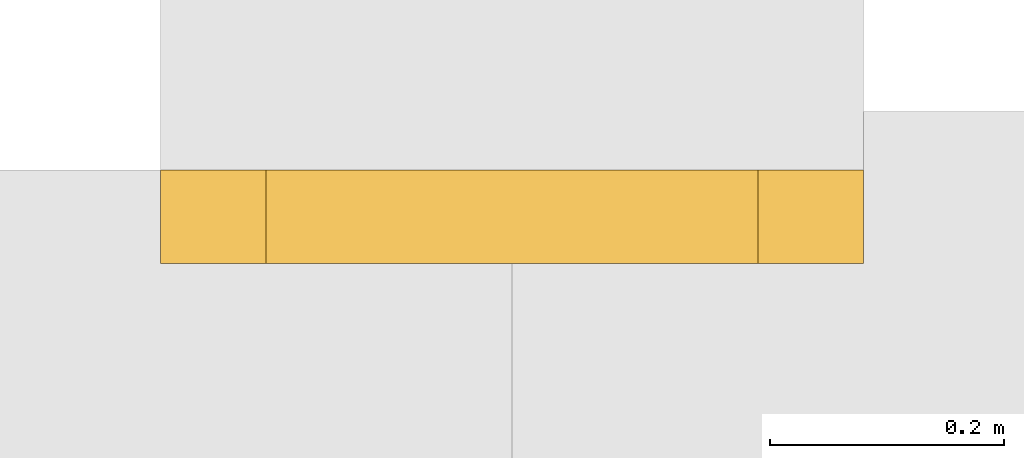
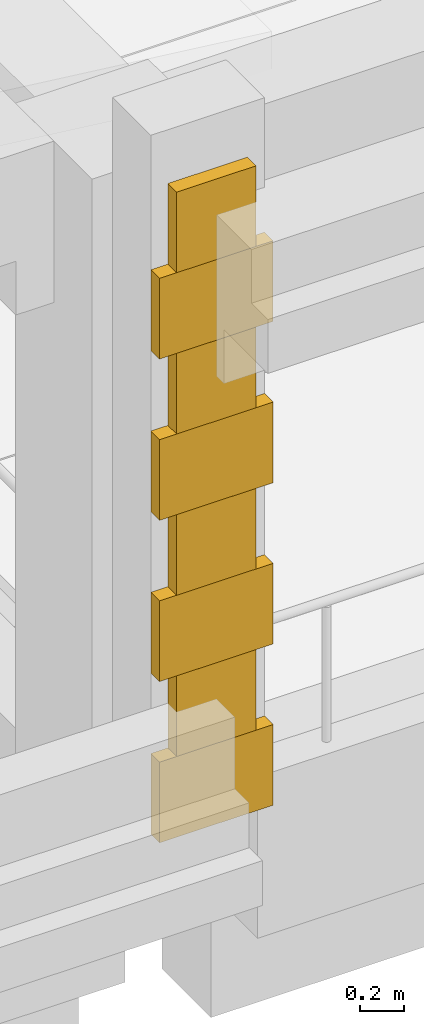
# One storey, part 16 of 17: 8 coverings.
"""IFC4 building model written with IfcOpenShell, lengths in metres."""

import ifcopenshell
import ifcopenshell.guid

model = None  # the IFC model being written
_history = None  # IfcOwnerHistory: only IFC2X3 demands one
_inside = {}  # id of a spatial element -> (the spatial element, [elements in it])
_under = {}  # id of a project, library or spatial element -> (it, [spatial elements below it])
_declared = {}  # id of a project -> (the project, [libraries it declares])
_typed = {}  # id of a type object -> (the type object, [elements of that type])
_made_of = {}  # id of a material, layer set ... -> (it, [elements and type objects made of it])


def new_model(schema):
    """Start an empty IFC model of exactly this schema.

    Asked for "IFC4X3", IfcOpenShell would pick the latest addendum, in which some entities
    have other attributes; the version numbers below select the first issue.
    IFC2X3 requires an IfcOwnerHistory on every rooted entity: one is made here for all.
    """
    global model, _history
    if schema == "IFC4X3":
        model = ifcopenshell.file(schema_version=(4, 3, 0, 0))
    else:
        model = ifcopenshell.file(schema=schema)
    _inside.clear()
    _under.clear()
    _declared.clear()
    _typed.clear()
    _made_of.clear()
    _history = None
    if model.schema == "IFC2X3":
        org = make("IfcOrganization", Name="unknown")
        user = make(
            "IfcPersonAndOrganization",
            ThePerson=make("IfcPerson", FamilyName="unknown"),
            TheOrganization=org,
        )
        app = make(
            "IfcApplication",
            ApplicationDeveloper=org,
            Version="unknown",
            ApplicationFullName="unknown",
            ApplicationIdentifier="unknown",
        )
        _history = make(
            "IfcOwnerHistory",
            OwningUser=user,
            OwningApplication=app,
            ChangeAction="ADDED",
            CreationDate=0,
        )
    return model


def make(cls, **values):
    """One entity of the class cls with the attributes given. An attribute that is None is left unset."""
    return model.create_entity(
        cls, **{name: value for name, value in values.items() if value is not None}
    )


def rooted(cls, **values):
    """An entity with a GlobalId (a new one), such as an element, a storey or a relation."""
    return make(cls, GlobalId=ifcopenshell.guid.new(), OwnerHistory=_history, **values)


def si_unit(unit_type, name, prefix=None):
    """IfcSIUnit, for example si_unit("LENGTHUNIT", "METRE", prefix="MILLI")."""
    return make("IfcSIUnit", UnitType=unit_type, Prefix=prefix, Name=name)


def assignment(units):
    """IfcUnitAssignment: the units of a project."""
    return None if units is None else make("IfcUnitAssignment", Units=units)


def point(xyz):
    """IfcCartesianPoint."""
    return None if xyz is None else make("IfcCartesianPoint", Coordinates=xyz)


def direction(xyz):
    """IfcDirection."""
    return None if xyz is None else make("IfcDirection", DirectionRatios=xyz)


def frame(location, z_axis=None, x_axis=None):
    """IfcAxis2Placement3D, a coordinate frame: its origin and axes. An axis left out is left unset."""
    return make(
        "IfcAxis2Placement3D",
        Location=point(location),
        Axis=direction(z_axis),
        RefDirection=direction(x_axis),
    )


def origin():
    """The frame at (0, 0, 0) with its axes left unset."""
    return frame((0.0, 0.0, 0.0))


def place(relative_to, where):
    """IfcLocalPlacement: puts the frame where relative to a parent placement (None: the world)."""
    return make(
        "IfcLocalPlacement", PlacementRelTo=relative_to, RelativePlacement=where
    )


def context(
    kind, dimensions, precision=None, world=None, true_north=None, identifier=None
):
    """IfcGeometricRepresentationContext, for example the 3D "Model" context."""
    return make(
        "IfcGeometricRepresentationContext",
        ContextIdentifier=identifier,
        ContextType=kind,
        CoordinateSpaceDimension=dimensions,
        Precision=precision,
        WorldCoordinateSystem=world,
        TrueNorth=true_north,
    )


def subcontext(parent, identifier, kind, view, scale=None):
    """IfcGeometricRepresentationSubContext, for example "Body" below "Model"."""
    return make(
        "IfcGeometricRepresentationSubContext",
        ContextIdentifier=identifier,
        ContextType=kind,
        ParentContext=parent,
        TargetScale=scale,
        TargetView=view,
    )


def project(units=None, contexts=None):
    """IfcProject with its units and contexts."""
    return rooted(
        "IfcProject",
        Name="project",
        RepresentationContexts=contexts,
        UnitsInContext=assignment(units),
    )


def spatial(cls, under=None, at=None, **own):
    """A site, building, storey or space (cls), placed at a placement, below another one or the project."""
    s = rooted(cls, ObjectPlacement=at, **own)
    if under is not None:
        _under.setdefault(under.id(), (under, []))[1].append(s)
    return s


def polyline(points):
    """IfcPolyline through the points."""
    return make("IfcPolyline", Points=[point(p) for p in points])


def outline(outer, holes=None, kind="AREA"):
    """IfcArbitraryClosedProfileDef: a profile drawn as a closed curve; with holes, ...WithVoids."""
    if holes is None:
        return make("IfcArbitraryClosedProfileDef", ProfileType=kind, OuterCurve=outer)
    return make(
        "IfcArbitraryProfileDefWithVoids",
        ProfileType=kind,
        OuterCurve=outer,
        InnerCurves=holes,
    )


def extrude(swept, where, along, depth):
    """IfcExtrudedAreaSolid: the profile swept, set in the frame where, extruded along a direction by depth."""
    return make(
        "IfcExtrudedAreaSolid",
        SweptArea=swept,
        Position=where,
        ExtrudedDirection=direction(along),
        Depth=depth,
    )


def shape(context_of_items, identifier, shape_type, items):
    """IfcShapeRepresentation: the items that make up one representation, for example the "Body"."""
    return make(
        "IfcShapeRepresentation",
        ContextOfItems=context_of_items,
        RepresentationIdentifier=identifier,
        RepresentationType=shape_type,
        Items=items,
    )


def material(Name=None, Category=None):
    """IfcMaterial."""
    return make("IfcMaterial", Name=Name, Category=Category)


def layer(
    of_material, thickness, ventilated=None, Name=None, Category=None, Priority=None
):
    """IfcMaterialLayer: one layer of a wall or slab, of a material (None: an air gap)."""
    return make(
        "IfcMaterialLayer",
        Material=of_material,
        LayerThickness=thickness,
        IsVentilated=ventilated,
        Name=Name,
        Category=Category,
        Priority=Priority,
    )


def layer_set(layers, Name=None):
    """IfcMaterialLayerSet."""
    return make("IfcMaterialLayerSet", MaterialLayers=layers, LayerSetName=Name)


def made_of(thing, what):
    """Note that an element or type object is made of a material, layer set ...; save() writes the relation."""
    if what is not None:
        _made_of.setdefault(what.id(), (what, []))[1].append(thing)
    return thing


def type_object(cls, material=None, **own):
    """A type object (cls), such as IfcWallType, which elements share."""
    return made_of(rooted(cls, **own), material)


def element(
    cls,
    number,
    at=None,
    inside=None,
    cuts=None,
    type_object=None,
    material=None,
    context=None,
    identifier="Body",
    shape_type=None,
    held_by="IfcProductDefinitionShape",
    body=None,
    shapes=None,
    **own,
):
    """One element of the class cls, such as IfcWall. Its Tag is "e" and its number.

    at: its placement. inside: the storey or other place that contains it. cuts: it is an
    opening in that element (IfcRelVoidsElement). A single representation is given by context,
    identifier, shape_type and body (its items); several are given by shapes. held_by: the class
    of the entity that holds the representations. save() writes the other relations.
    """
    e = rooted(cls, Tag="e%d" % number, ObjectPlacement=at, **own)
    if body is not None:
        shapes = [shape(context, identifier, shape_type, body)]
    if shapes is not None:
        e.Representation = make(held_by, Representations=shapes)
    if inside is not None:
        _inside.setdefault(inside.id(), (inside, []))[1].append(e)
    if cuts is not None:
        rooted(
            "IfcRelVoidsElement", RelatingBuildingElement=cuts, RelatedOpeningElement=e
        )
    if type_object is not None:
        _typed.setdefault(type_object.id(), (type_object, []))[1].append(e)
    return made_of(e, material)


def aggregate(whole, parts):
    """IfcRelAggregates: a whole, such as a stair, and the parts it consists of."""
    return rooted("IfcRelAggregates", RelatingObject=whole, RelatedObjects=parts)


def save(model, path):
    """Write the relations noted so far, then the file.

    IfcRelAggregates (storeys below a building ...), IfcRelContainedInSpatialStructure (elements
    in a storey), IfcRelDefinesByType, IfcRelAssociatesMaterial and IfcRelDeclares: one each for
    every whole, place, type object, material and project.
    """
    for whole, parts in _under.values():
        aggregate(whole, parts)
    for where, things in _inside.values():
        rooted(
            "IfcRelContainedInSpatialStructure",
            RelatedElements=things,
            RelatingStructure=where,
        )
    for kind, things in _typed.values():
        rooted("IfcRelDefinesByType", RelatedObjects=things, RelatingType=kind)
    for what, things in _made_of.values():
        rooted("IfcRelAssociatesMaterial", RelatedObjects=things, RelatingMaterial=what)
    for by, libraries in _declared.values():
        rooted("IfcRelDeclares", RelatingContext=by, RelatedDefinitions=libraries)
    model.write(path)


model = new_model("IFC4")

# Units and contexts
model_context = context("Model", 3, precision=1e-05, world=origin(), true_north=direction((0.0, 1.0)))
body_context = subcontext(model_context, "Body", "Model", "MODEL_VIEW")
ifc_project = project(units=[si_unit("LENGTHUNIT", "METRE"), si_unit("AREAUNIT", "SQUARE_METRE"), si_unit("VOLUMEUNIT", "CUBIC_METRE"), si_unit("PLANEANGLEUNIT", "RADIAN"), si_unit("MASSUNIT", "GRAM", prefix="KILO")], contexts=[model_context])

# Site, building, storey
site_placement = place(None, origin())
site = spatial("IfcSite", under=ifc_project, at=site_placement, CompositionType="ELEMENT")
building_placement = place(site_placement, origin())
building = spatial("IfcBuilding", under=site, at=building_placement, Name="Cour d'Honneur Mobility Palace", CompositionType="ELEMENT")
storey_placement = place(building_placement, frame((0.0, 0.0, 34.10009765625)))
storey = spatial("IfcBuildingStorey", under=building, at=storey_placement, Name="L09", CompositionType="ELEMENT", Elevation=34.10009765625)

# Coverings
ifc_material = material(Name="Cast limestone", Category="masonry")
ifc_layer = layer(ifc_material, 0.080078125)
ifc_layer_set = layer_set([ifc_layer], Name="Cast limestone")
covering_type = type_object("IfcCoveringType", Name="Quoin block", PredefinedType="CLADDING", material=ifc_layer_set)
covering_1_placement = place(storey_placement, frame((0.0, 0.0, 0.2998046875)))
element("IfcCovering", 1, at=covering_1_placement, inside=storey, type_object=covering_type, Name="Quoin block QN-65", PredefinedType="CLADDING", context=body_context, shape_type="SweptSolid", body=[
    extrude(outline(polyline([(8.39990234375, -0.800048828125), (9.0, -0.800048828125), (9.0, -0.8798828125), (8.39990234375, -0.8798828125), (8.39990234375, -0.800048828125)])), origin(), (0.0, 0.0, 1.0), 0.4501953125),
])
covering_2_placement = place(storey_placement, frame((0.0, 0.0, 0.75)))
element("IfcCovering", 2, at=covering_2_placement, inside=storey, type_object=covering_type, Name="Quoin block QN-66", PredefinedType="CLADDING", context=body_context, shape_type="SweptSolid", body=[
    extrude(outline(polyline([(8.489990234375, -0.800048828125), (8.909912109375, -0.800048828125), (8.909912109375, -0.8798828125), (8.489990234375, -0.8798828125), (8.489990234375, -0.800048828125)])), origin(), (0.0, 0.0, 1.0), 0.449951171875),
])
covering_3_placement = place(storey_placement, frame((0.0, 0.0, 1.199951171875)))
element("IfcCovering", 3, at=covering_3_placement, inside=storey, type_object=covering_type, Name="Quoin block QN-67", PredefinedType="CLADDING", context=body_context, shape_type="SweptSolid", body=[
    extrude(outline(polyline([(8.39990234375, -0.800048828125), (9.0, -0.800048828125), (9.0, -0.8798828125), (8.39990234375, -0.8798828125), (8.39990234375, -0.800048828125)])), origin(), (0.0, 0.0, 1.0), 0.449951171875),
])
covering_4_placement = place(storey_placement, frame((0.0, 0.0, 1.64990234375)))
element("IfcCovering", 4, at=covering_4_placement, inside=storey, type_object=covering_type, Name="Quoin block QN-68", PredefinedType="CLADDING", context=body_context, shape_type="SweptSolid", body=[
    extrude(outline(polyline([(8.489990234375, -0.800048828125), (8.909912109375, -0.800048828125), (8.909912109375, -0.8798828125), (8.489990234375, -0.8798828125), (8.489990234375, -0.800048828125)])), origin(), (0.0, 0.0, 1.0), 0.449951171875),
])
covering_5_placement = place(storey_placement, frame((0.0, 0.0, 2.099853515625)))
element("IfcCovering", 5, at=covering_5_placement, inside=storey, type_object=covering_type, Name="Quoin block QN-69", PredefinedType="CLADDING", context=body_context, shape_type="SweptSolid", body=[
    extrude(outline(polyline([(8.39990234375, -0.800048828125), (9.0, -0.800048828125), (9.0, -0.8798828125), (8.39990234375, -0.8798828125), (8.39990234375, -0.800048828125)])), origin(), (0.0, 0.0, 1.0), 0.449951171875),
])
covering_6_placement = place(storey_placement, frame((0.0, 0.0, 2.5498046875)))
element("IfcCovering", 6, at=covering_6_placement, inside=storey, type_object=covering_type, Name="Quoin block QN-70", PredefinedType="CLADDING", context=body_context, shape_type="SweptSolid", body=[
    extrude(outline(polyline([(8.489990234375, -0.800048828125), (8.909912109375, -0.800048828125), (8.909912109375, -0.8798828125), (8.489990234375, -0.8798828125), (8.489990234375, -0.800048828125)])), origin(), (0.0, 0.0, 1.0), 0.4501953125),
])
covering_7_placement = place(storey_placement, frame((0.0, 0.0, 3.0)))
element("IfcCovering", 7, at=covering_7_placement, inside=storey, type_object=covering_type, Name="Quoin block QN-71", PredefinedType="CLADDING", context=body_context, shape_type="SweptSolid", body=[
    extrude(outline(polyline([(8.39990234375, -0.800048828125), (9.0, -0.800048828125), (9.0, -0.8798828125), (8.39990234375, -0.8798828125), (8.39990234375, -0.800048828125)])), origin(), (0.0, 0.0, 1.0), 0.449951171875),
])
covering_8_placement = place(storey_placement, frame((0.0, 0.0, 3.449951171875)))
element("IfcCovering", 8, at=covering_8_placement, inside=storey, type_object=covering_type, Name="Quoin block QN-72", PredefinedType="CLADDING", context=body_context, shape_type="SweptSolid", body=[
    extrude(outline(polyline([(8.489990234375, -0.800048828125), (8.909912109375, -0.800048828125), (8.909912109375, -0.8798828125), (8.489990234375, -0.8798828125), (8.489990234375, -0.800048828125)])), origin(), (0.0, 0.0, 1.0), 0.449951171875),
])

save(model, "model.ifc")
